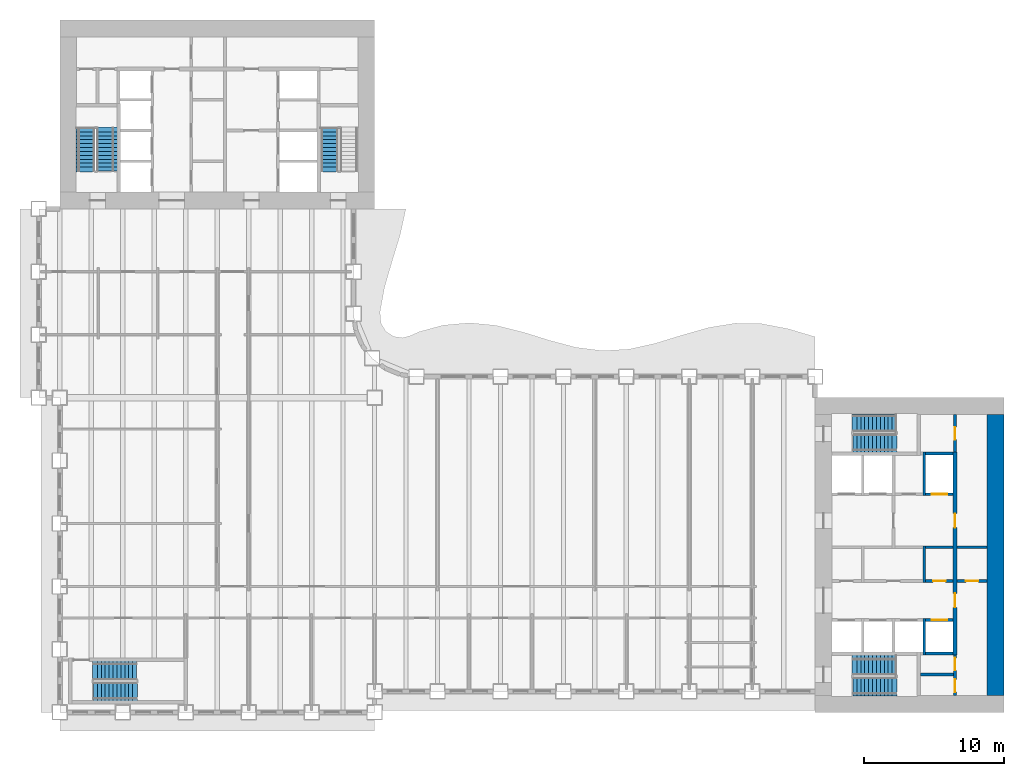
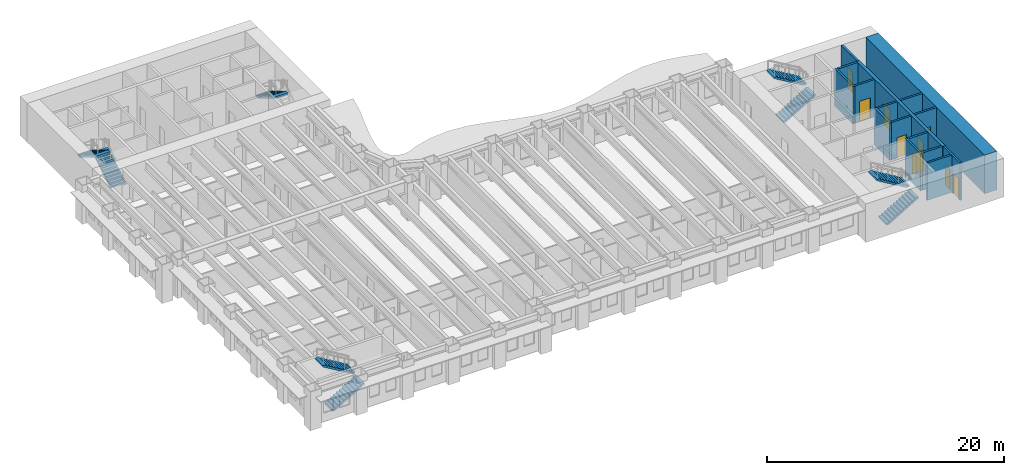
# One storey, part 10 of 17: 16 walls, 9 doors, 9 stair flights, 9 openings, 5 elements without a shape of their own.
"""IFC4 building model written with IfcOpenShell, lengths in metres."""

from ifc_helpers import new_model, si_unit, direction, frame, frame_2d, origin, place, context, subcontext, project, spatial, polyline, rectangle, outline, extrude, material, layer, layer_set, type_object, element, fill, aggregate, save


model = new_model("IFC4")

# Units and contexts
model_context = context("Model", 3, precision=1e-05, world=origin(), true_north=direction((0.0, 1.0)))
body_context = subcontext(model_context, "Body", "Model", "MODEL_VIEW")
ifc_project = project(units=[si_unit("LENGTHUNIT", "METRE"), si_unit("AREAUNIT", "SQUARE_METRE"), si_unit("VOLUMEUNIT", "CUBIC_METRE"), si_unit("PLANEANGLEUNIT", "RADIAN"), si_unit("MASSUNIT", "GRAM", prefix="KILO")], contexts=[model_context])

# Site, building, storey
site_placement = place(None, origin())
site = spatial("IfcSite", under=ifc_project, at=site_placement, CompositionType="ELEMENT")
building_placement = place(site_placement, origin())
building = spatial("IfcBuilding", under=site, at=building_placement, Name="Sennacour Bend Tower", CompositionType="ELEMENT")
storey_placement = place(building_placement, frame((0.0, 0.0, 49.0)))
storey = spatial("IfcBuildingStorey", under=building, at=storey_placement, Name="L10", CompositionType="ELEMENT", Elevation=49.0)

# Walls
ifc_material_1 = material(Name="Concrete C80/95", Category="concrete")
ifc_layer_1 = layer(ifc_material_1, 1.199951171875, Name="Concrete C80/95", Category="concrete")
ifc_layer_set_1 = layer_set([ifc_layer_1], Name="Concrete C80/95")
wall_type_1 = type_object("IfcWallType", Name="Core wall 1200 C80/95", PredefinedType="SHEAR", material=ifc_layer_set_1)
wall_1_placement = place(storey_placement, frame((66.89990234375, 1.199951171875, -0.14990234375), z_axis=(0.0, 0.0, 1.0), x_axis=(0.0, 1.0, 0.0)))
element("IfcWall", 1, at=wall_1_placement, inside=storey, type_object=wall_type_1, Name="Core A wall L10 E", PredefinedType="SHEAR", context=body_context, shape_type="SweptSolid", body=[
    extrude(rectangle(XDim=20.10009765625, YDim=1.199951171875, at=frame_2d((10.050048828125, 0.0))), origin(), (0.0, 0.0, 1.0), 4.0),
])
ifc_material_2 = material(Name="Fire-rated plasterboard partition on steel studs", Category="steel")
ifc_layer_2 = layer(ifc_material_2, 0.199951171875, Name="Fire-rated plasterboard partition on steel studs", Category="steel")
ifc_layer_set_2 = layer_set([ifc_layer_2], Name="Fire-rated plasterboard partition on steel studs")
wall_type_2 = type_object("IfcWallType", Name="Rated partition 200", PredefinedType="PARTITIONING", material=ifc_layer_set_2)
wall_2_placement = place(storey_placement, frame((61.800048828125, 9.300048828125, 0.0), z_axis=(0.0, 0.0, 1.0), x_axis=(0.0, 1.0, 0.0)))
element("IfcWall", 2, at=wall_2_placement, inside=storey, type_object=wall_type_2, Name="P-L10-W045", PredefinedType="PARTITIONING", context=body_context, shape_type="SweptSolid", body=[
    extrude(rectangle(XDim=2.599853515625, YDim=0.199951171875, at=frame_2d((1.2998046875, 0.0))), origin(), (0.0, 0.0, 1.0), 3.85009765625),
])

# Wall, openings, doors
wall_3_placement = place(storey_placement, frame((64.0, 1.199951171875, 0.0), z_axis=(0.0, 0.0, 1.0), x_axis=(0.0, 1.0, 0.0)))
wall_3 = element("IfcWall", 3, at=wall_3_placement, inside=storey, type_object=wall_type_2, Name="P-L10-W047", PredefinedType="PARTITIONING", context=body_context, shape_type="SweptSolid", body=[
    extrude(rectangle(XDim=2.900146484375, YDim=0.199951171875, at=frame_2d((1.4501953125, 0.0))), origin(), (0.0, 0.0, 1.0), 3.85009765625),
])
opening_1_placement = place(wall_3_placement, frame((0.25, 0.0, 0.0)))
opening_1 = element("IfcOpeningElement", 4, at=opening_1_placement, cuts=wall_3, Name="Opening SV", PredefinedType="OPENING", context=body_context, shape_type="SweptSolid", body=[
    extrude(rectangle(XDim=0.89990234375, YDim=2.10009765625, at=frame_2d((0.449951171875, 1.050048828125))), frame((0.0, 0.10986328125, 0.0), z_axis=(0.0, -1.0, 0.0), x_axis=(1.0, 0.0, 0.0)), (0.0, 0.0, 1.0), 0.219970703125),
])
opening_2_placement = place(wall_3_placement, frame((1.800048828125, 0.0, 0.0)))
opening_2 = element("IfcOpeningElement", 5, at=opening_2_placement, cuts=wall_3, Name="Opening SV", PredefinedType="OPENING", context=body_context, shape_type="SweptSolid", body=[
    extrude(rectangle(XDim=0.89990234375, YDim=2.10009765625, at=frame_2d((0.449951171875, 1.050048828125))), frame((0.0, 0.10986328125, 0.0), z_axis=(0.0, -1.0, 0.0), x_axis=(1.0, 0.0, 0.0)), (0.0, 0.0, 1.0), 0.219970703125),
])
ifc_material_3 = material(Name="Painted steel", Category="steel")
door_type_1 = type_object("IfcDoorType", Name="DR-SERVICE-900", OperationType="NOTDEFINED", PredefinedType="DOOR", material=ifc_material_3)
door_1_placement = place(opening_1_placement, origin())
door_1 = element("IfcDoor", 6, at=door_1_placement, inside=storey, type_object=door_type_1, Name="Door", OperationType="SINGLE_SWING_LEFT", OverallHeight=2.10009765625, OverallWidth=0.89990234375, PredefinedType="DOOR", context=body_context, shape_type="SweptSolid", body=[
    extrude(rectangle(XDim=0.89990234375, YDim=2.10009765625, at=frame_2d((0.449951171875, 1.050048828125))), frame((0.0, 0.02490234375, 0.0), z_axis=(0.0, -1.0, 0.0), x_axis=(1.0, 0.0, 0.0)), (0.0, 0.0, 1.0), 0.050048828125),
])
fill(opening_1, door_1)
door_2_placement = place(opening_2_placement, origin())
door_2 = element("IfcDoor", 7, at=door_2_placement, inside=storey, type_object=door_type_1, Name="Door", OperationType="SINGLE_SWING_RIGHT", OverallHeight=2.10009765625, OverallWidth=0.89990234375, PredefinedType="DOOR", context=body_context, shape_type="SweptSolid", body=[
    extrude(rectangle(XDim=0.89990234375, YDim=2.10009765625, at=frame_2d((0.449951171875, 1.050048828125))), frame((0.0, 0.02490234375, 0.0), z_axis=(0.0, -1.0, 0.0), x_axis=(1.0, 0.0, 0.0)), (0.0, 0.0, 1.0), 0.050048828125),
])
fill(opening_2, door_2)

# Wall, opening, door
wall_4_placement = place(storey_placement, frame((64.0, 18.60009765625, 0.0), z_axis=(0.0, 0.0, 1.0), x_axis=(0.0, 1.0, 0.0)))
wall_4 = element("IfcWall", 8, at=wall_4_placement, inside=storey, type_object=wall_type_2, Name="P-L10-W049", PredefinedType="PARTITIONING", context=body_context, shape_type="SweptSolid", body=[
    extrude(rectangle(XDim=2.699951171875, YDim=0.199951171875, at=frame_2d((1.35009765625, 0.0))), origin(), (0.0, 0.0, 1.0), 3.85009765625),
])
opening_3_placement = place(wall_4_placement, frame((0.89990234375, 0.0, 0.0)))
opening_3 = element("IfcOpeningElement", 9, at=opening_3_placement, cuts=wall_4, Name="Opening WD", PredefinedType="OPENING", context=body_context, shape_type="SweptSolid", body=[
    extrude(rectangle(XDim=0.89990234375, YDim=2.10009765625, at=frame_2d((0.449951171875, 1.050048828125))), frame((0.0, 0.10986328125, 0.0), z_axis=(0.0, -1.0, 0.0), x_axis=(1.0, 0.0, 0.0)), (0.0, 0.0, 1.0), 0.219970703125),
])
ifc_material_4 = material(Name="Timber", Category="wood")
door_type_2 = type_object("IfcDoorType", Name="DR-WC-900", OperationType="NOTDEFINED", PredefinedType="DOOR", material=ifc_material_4)
door_3_placement = place(opening_3_placement, origin())
door_3 = element("IfcDoor", 10, at=door_3_placement, inside=storey, type_object=door_type_2, Name="Door", OperationType="SINGLE_SWING_LEFT", OverallHeight=2.10009765625, OverallWidth=0.89990234375, PredefinedType="DOOR", context=body_context, shape_type="SweptSolid", body=[
    extrude(rectangle(XDim=0.89990234375, YDim=2.10009765625, at=frame_2d((0.449951171875, 1.050048828125))), frame((0.0, 0.02490234375, 0.0), z_axis=(0.0, -1.0, 0.0), x_axis=(1.0, 0.0, 0.0)), (0.0, 0.0, 1.0), 0.050048828125),
])
fill(opening_3, door_3)

# Wall
wall_5_placement = place(storey_placement, frame((61.52490234375, 2.699951171875, 0.0), z_axis=(0.0, 0.0, 1.0), x_axis=(1.0, 0.0, 0.0)))
element("IfcWall", 11, at=wall_5_placement, inside=storey, type_object=wall_type_2, Name="P-L10-W053", PredefinedType="PARTITIONING", context=body_context, shape_type="SweptSolid", body=[
    extrude(rectangle(XDim=2.375, YDim=0.199951171875, at=frame_2d((1.1875, 0.0))), origin(), (0.0, 0.0, 1.0), 3.85009765625),
])

# Wall, opening, door
wall_6_placement = place(storey_placement, frame((61.89990234375, 9.39990234375, 0.0), z_axis=(0.0, 0.0, 1.0), x_axis=(1.0, 0.0, 0.0)))
wall_6 = element("IfcWall", 12, at=wall_6_placement, inside=storey, type_object=wall_type_2, Name="P-L10-W063c", PredefinedType="PARTITIONING", context=body_context, shape_type="SweptSolid", body=[
    extrude(rectangle(XDim=1.9501953125, YDim=0.199951171875, at=frame_2d((0.97509765625, 0.0))), origin(), (0.0, 0.0, 1.0), 3.85009765625),
])
opening_4_placement = place(wall_6_placement, frame((0.525146484375, 0.0, 0.0)))
opening_4 = element("IfcOpeningElement", 13, at=opening_4_placement, cuts=wall_6, Name="Opening SV", PredefinedType="OPENING", context=body_context, shape_type="SweptSolid", body=[
    extrude(rectangle(XDim=0.89990234375, YDim=2.10009765625, at=frame_2d((0.449951171875, 1.050048828125))), frame((0.0, 0.10986328125, 0.0), z_axis=(0.0, -1.0, 0.0), x_axis=(1.0, 0.0, 0.0)), (0.0, 0.0, 1.0), 0.219970703125),
])
door_4_placement = place(opening_4_placement, origin())
door_4 = element("IfcDoor", 14, at=door_4_placement, inside=storey, type_object=door_type_1, Name="Door", OperationType="SINGLE_SWING_LEFT", OverallHeight=2.10009765625, OverallWidth=0.89990234375, PredefinedType="DOOR", context=body_context, shape_type="SweptSolid", body=[
    extrude(rectangle(XDim=0.89990234375, YDim=2.10009765625, at=frame_2d((0.449951171875, 1.050048828125))), frame((0.0, 0.02490234375, 0.0), z_axis=(0.0, -1.0, 0.0), x_axis=(1.0, 0.0, 0.0)), (0.0, 0.0, 1.0), 0.050048828125),
])
fill(opening_4, door_4)

wall_7_placement = place(storey_placement, frame((64.14990234375, 9.39990234375, 0.0), z_axis=(0.0, 0.0, 1.0), x_axis=(1.0, 0.0, 0.0)))
wall_7 = element("IfcWall", 15, at=wall_7_placement, inside=storey, type_object=wall_type_2, Name="P-L10-W063d", PredefinedType="PARTITIONING", context=body_context, shape_type="SweptSolid", body=[
    extrude(rectangle(XDim=2.150146484375, YDim=0.199951171875, at=frame_2d((1.0751953125, 0.0))), origin(), (0.0, 0.0, 1.0), 3.85009765625),
])
opening_5_placement = place(wall_7_placement, frame((0.625, 0.0, 0.0)))
opening_5 = element("IfcOpeningElement", 16, at=opening_5_placement, cuts=wall_7, Name="Opening SV", PredefinedType="OPENING", context=body_context, shape_type="SweptSolid", body=[
    extrude(rectangle(XDim=0.89990234375, YDim=2.10009765625, at=frame_2d((0.449951171875, 1.050048828125))), frame((0.0, 0.10986328125, 0.0), z_axis=(0.0, -1.0, 0.0), x_axis=(1.0, 0.0, 0.0)), (0.0, 0.0, 1.0), 0.219970703125),
])
door_5_placement = place(opening_5_placement, origin())
door_5 = element("IfcDoor", 17, at=door_5_placement, inside=storey, type_object=door_type_1, Name="Door", OperationType="SINGLE_SWING_LEFT", OverallHeight=2.10009765625, OverallWidth=0.89990234375, PredefinedType="DOOR", context=body_context, shape_type="SweptSolid", body=[
    extrude(rectangle(XDim=0.89990234375, YDim=2.10009765625, at=frame_2d((0.449951171875, 1.050048828125))), frame((0.0, 0.02490234375, 0.0), z_axis=(0.0, -1.0, 0.0), x_axis=(1.0, 0.0, 0.0)), (0.0, 0.0, 1.0), 0.050048828125),
])
fill(opening_5, door_5)

# Walls
wall_8_placement = place(storey_placement, frame((61.89990234375, 11.800048828125, 0.0), z_axis=(0.0, 0.0, 1.0), x_axis=(1.0, 0.0, 0.0)))
element("IfcWall", 18, at=wall_8_placement, inside=storey, type_object=wall_type_2, Name="P-L10-W064d", PredefinedType="PARTITIONING", context=body_context, shape_type="SweptSolid", body=[
    extrude(rectangle(XDim=1.9501953125, YDim=0.199951171875, at=frame_2d((0.97509765625, 0.0))), origin(), (0.0, 0.0, 1.0), 3.85009765625),
])
wall_9_placement = place(storey_placement, frame((64.14990234375, 11.800048828125, 0.0), z_axis=(0.0, 0.0, 1.0), x_axis=(1.0, 0.0, 0.0)))
element("IfcWall", 19, at=wall_9_placement, inside=storey, type_object=wall_type_2, Name="P-L10-W064e", PredefinedType="PARTITIONING", context=body_context, shape_type="SweptSolid", body=[
    extrude(rectangle(XDim=2.150146484375, YDim=0.199951171875, at=frame_2d((1.0751953125, 0.0))), origin(), (0.0, 0.0, 1.0), 3.85009765625),
])
ifc_material_5 = material(Name="Concrete C50/60", Category="concrete")
ifc_layer_3 = layer(ifc_material_5, 0.199951171875, Name="Concrete C50/60", Category="concrete")
ifc_layer_set_3 = layer_set([ifc_layer_3], Name="Concrete C50/60")
wall_type_3 = type_object("IfcWallType", Name="Shaft wall 200", PredefinedType="SOLIDWALL", material=ifc_layer_set_3)
wall_10_placement = place(storey_placement, frame((61.800048828125, 4.10009765625, 0.0), z_axis=(0.0, 0.0, 1.0), x_axis=(0.0, 1.0, 0.0)))
element("IfcWall", 20, at=wall_10_placement, inside=storey, type_object=wall_type_3, Name="P-L10-W044", PredefinedType="SOLIDWALL", context=body_context, shape_type="SweptSolid", body=[
    extrude(rectangle(XDim=2.599853515625, YDim=0.199951171875, at=frame_2d((1.2998046875, 0.0))), origin(), (0.0, 0.0, 1.0), 3.85009765625),
])
wall_11_placement = place(storey_placement, frame((61.800048828125, 15.5, 0.0), z_axis=(0.0, 0.0, 1.0), x_axis=(0.0, 1.0, 0.0)))
element("IfcWall", 21, at=wall_11_placement, inside=storey, type_object=wall_type_3, Name="P-L10-W046", PredefinedType="SOLIDWALL", context=body_context, shape_type="SweptSolid", body=[
    extrude(rectangle(XDim=3.10009765625, YDim=0.199951171875, at=frame_2d((1.550048828125, 0.0))), origin(), (0.0, 0.0, 1.0), 3.85009765625),
])
wall_12_placement = place(storey_placement, frame((61.89990234375, 4.199951171875, 0.0), z_axis=(0.0, 0.0, 1.0), x_axis=(1.0, 0.0, 0.0)))
element("IfcWall", 22, at=wall_12_placement, inside=storey, type_object=wall_type_3, Name="P-L10-W058b", PredefinedType="SOLIDWALL", context=body_context, shape_type="SweptSolid", body=[
    extrude(rectangle(XDim=1.9501953125, YDim=0.199951171875, at=frame_2d((0.97509765625, 0.0))), origin(), (0.0, 0.0, 1.0), 3.85009765625),
])

# Wall, opening, door
wall_13_placement = place(storey_placement, frame((61.89990234375, 6.60009765625, 0.0), z_axis=(0.0, 0.0, 1.0), x_axis=(1.0, 0.0, 0.0)))
wall_13 = element("IfcWall", 23, at=wall_13_placement, inside=storey, type_object=wall_type_3, Name="P-L10-W060d", PredefinedType="SOLIDWALL", context=body_context, shape_type="SweptSolid", body=[
    extrude(rectangle(XDim=1.9501953125, YDim=0.199951171875, at=frame_2d((0.97509765625, 0.0))), origin(), (0.0, 0.0, 1.0), 3.85009765625),
])
opening_6_placement = place(wall_13_placement, frame((0.425048828125, 0.0, 0.011962890625)))
opening_6 = element("IfcOpeningElement", 24, at=opening_6_placement, cuts=wall_13, Name="Opening LD", PredefinedType="OPENING", context=body_context, shape_type="SweptSolid", body=[
    extrude(rectangle(XDim=1.10009765625, YDim=2.10009765625, at=frame_2d((0.550048828125, 1.050048828125))), frame((0.0, 0.10986328125, 0.0), z_axis=(0.0, -1.0, 0.0), x_axis=(1.0, 0.0, 0.0)), (0.0, 0.0, 1.0), 0.219970703125),
])
ifc_material_6 = material(Name="Stainless steel", Category="steel")
door_type_3 = type_object("IfcDoorType", Name="DR-LANDING-1100", OperationType="NOTDEFINED", PredefinedType="DOOR", material=ifc_material_6)
door_6_placement = place(opening_6_placement, origin())
door_6 = element("IfcDoor", 25, at=door_6_placement, inside=storey, type_object=door_type_3, Name="Lift landing door LA4", OperationType="SLIDING_TO_RIGHT", OverallHeight=2.10009765625, OverallWidth=1.10009765625, PredefinedType="DOOR", context=body_context, shape_type="SweptSolid", body=[
    extrude(rectangle(XDim=1.10009765625, YDim=2.10009765625, at=frame_2d((0.550048828125, 1.050048828125))), frame((0.0, 0.02490234375, 0.0), z_axis=(0.0, -1.0, 0.0), x_axis=(1.0, 0.0, 0.0)), (0.0, 0.0, 1.0), 0.050048828125),
])
fill(opening_6, door_6)

wall_14_placement = place(storey_placement, frame((61.89990234375, 15.60009765625, 0.0), z_axis=(0.0, 0.0, 1.0), x_axis=(1.0, 0.0, 0.0)))
wall_14 = element("IfcWall", 26, at=wall_14_placement, inside=storey, type_object=wall_type_3, Name="P-L10-W068", PredefinedType="SOLIDWALL", context=body_context, shape_type="SweptSolid", body=[
    extrude(rectangle(XDim=1.9501953125, YDim=0.199951171875, at=frame_2d((0.97509765625, 0.0))), origin(), (0.0, 0.0, 1.0), 3.85009765625),
])
opening_7_placement = place(wall_14_placement, frame((0.425048828125, 0.0, 0.011962890625)))
opening_7 = element("IfcOpeningElement", 27, at=opening_7_placement, cuts=wall_14, Name="Opening LD", PredefinedType="OPENING", context=body_context, shape_type="SweptSolid", body=[
    extrude(rectangle(XDim=1.10009765625, YDim=2.10009765625, at=frame_2d((0.550048828125, 1.050048828125))), frame((0.0, 0.10986328125, 0.0), z_axis=(0.0, -1.0, 0.0), x_axis=(1.0, 0.0, 0.0)), (0.0, 0.0, 1.0), 0.219970703125),
])
door_7_placement = place(opening_7_placement, origin())
door_7 = element("IfcDoor", 28, at=door_7_placement, inside=storey, type_object=door_type_3, Name="Lift landing door LA5", OperationType="SLIDING_TO_LEFT", OverallHeight=2.10009765625, OverallWidth=1.10009765625, PredefinedType="DOOR", context=body_context, shape_type="SweptSolid", body=[
    extrude(rectangle(XDim=1.10009765625, YDim=2.10009765625, at=frame_2d((0.550048828125, 1.050048828125))), frame((0.0, 0.02490234375, 0.0), z_axis=(0.0, -1.0, 0.0), x_axis=(1.0, 0.0, 0.0)), (0.0, 0.0, 1.0), 0.050048828125),
])
fill(opening_7, door_7)

# Wall
wall_15_placement = place(storey_placement, frame((61.89990234375, 18.5, 0.0), z_axis=(0.0, 0.0, 1.0), x_axis=(1.0, 0.0, 0.0)))
element("IfcWall", 29, at=wall_15_placement, inside=storey, type_object=wall_type_3, Name="P-L10-W071", PredefinedType="SOLIDWALL", context=body_context, shape_type="SweptSolid", body=[
    extrude(rectangle(XDim=1.9501953125, YDim=0.199951171875, at=frame_2d((0.97509765625, 0.0))), origin(), (0.0, 0.0, 1.0), 3.85009765625),
])

# Wall, openings, doors
ifc_material_7 = material(Name="Concrete C60/75", Category="concrete")
ifc_layer_4 = layer(ifc_material_7, 0.300048828125, Name="Concrete C60/75", Category="concrete")
ifc_layer_set_4 = layer_set([ifc_layer_4], Name="Concrete C60/75")
wall_type_4 = type_object("IfcWallType", Name="Spine wall 300", PredefinedType="SHEAR", material=ifc_layer_set_4)
wall_16_placement = place(storey_placement, frame((64.0, 4.10009765625, 0.0), z_axis=(0.0, 0.0, 1.0), x_axis=(0.0, 1.0, 0.0)))
wall_16 = element("IfcWall", 30, at=wall_16_placement, inside=storey, type_object=wall_type_4, Name="P-L10-W048", PredefinedType="SHEAR", context=body_context, shape_type="SweptSolid", body=[
    extrude(rectangle(XDim=14.5, YDim=0.300048828125, at=frame_2d((7.25, 0.0))), origin(), (0.0, 0.0, 1.0), 3.85009765625),
])
opening_8_placement = place(wall_16_placement, frame((3.39990234375, 0.0, 0.0)))
opening_8 = element("IfcOpeningElement", 31, at=opening_8_placement, cuts=wall_16, Name="Opening CD2", PredefinedType="OPENING", context=body_context, shape_type="SweptSolid", body=[
    extrude(rectangle(XDim=1.0, YDim=2.10009765625, at=frame_2d((0.5, 1.050048828125))), frame((0.0, 0.16015625, 0.0), z_axis=(0.0, -1.0, 0.0), x_axis=(1.0, 0.0, 0.0)), (0.0, 0.0, 1.0), 0.320068359375),
])
opening_9_placement = place(wall_16_placement, frame((9.099853515625, 0.0, 0.0)))
opening_9 = element("IfcOpeningElement", 32, at=opening_9_placement, cuts=wall_16, Name="Opening CD2", PredefinedType="OPENING", context=body_context, shape_type="SweptSolid", body=[
    extrude(rectangle(XDim=1.0, YDim=2.10009765625, at=frame_2d((0.5, 1.050048828125))), frame((0.0, 0.16015625, 0.0), z_axis=(0.0, -1.0, 0.0), x_axis=(1.0, 0.0, 0.0)), (0.0, 0.0, 1.0), 0.320068359375),
])
door_type_4 = type_object("IfcDoorType", Name="DR-LOBBY-1000", OperationType="NOTDEFINED", PredefinedType="DOOR", material=ifc_material_3)
door_8_placement = place(opening_8_placement, origin())
door_8 = element("IfcDoor", 33, at=door_8_placement, inside=storey, type_object=door_type_4, Name="Door", OperationType="SINGLE_SWING_LEFT", OverallHeight=2.10009765625, OverallWidth=1.0, PredefinedType="DOOR", context=body_context, shape_type="SweptSolid", body=[
    extrude(rectangle(XDim=1.0, YDim=2.10009765625, at=frame_2d((0.5, 1.050048828125))), frame((0.0, 0.02490234375, 0.0), z_axis=(0.0, -1.0, 0.0), x_axis=(1.0, 0.0, 0.0)), (0.0, 0.0, 1.0), 0.050048828125),
])
fill(opening_8, door_8)
door_9_placement = place(opening_9_placement, origin())
door_9 = element("IfcDoor", 34, at=door_9_placement, inside=storey, type_object=door_type_4, Name="Door", OperationType="SINGLE_SWING_RIGHT", OverallHeight=2.10009765625, OverallWidth=1.0, PredefinedType="DOOR", context=body_context, shape_type="SweptSolid", body=[
    extrude(rectangle(XDim=1.0, YDim=2.10009765625, at=frame_2d((0.5, 1.050048828125))), frame((0.0, 0.02490234375, 0.0), z_axis=(0.0, -1.0, 0.0), x_axis=(1.0, 0.0, 0.0)), (0.0, 0.0, 1.0), 0.050048828125),
])
fill(opening_9, door_9)

# Stair, stair flights
ifc_material_8 = material(Name="Concrete C40/50", Category="concrete")
stair_type = type_object("IfcStairType", Name="ST-DOGLEG", PredefinedType="HALF_TURN_STAIR", material=ifc_material_8)
stair_1_placement = place(storey_placement, origin())
stair_1 = element("IfcStair", 35, at=stair_1_placement, inside=storey, type_object=stair_type, Name="L10 Exit stair A1", PredefinedType="HALF_TURN_STAIR")
stair_flight_type = type_object("IfcStairFlightType", Name="SFL-RC", PredefinedType="STRAIGHT", material=ifc_material_8)
stair_flight_1_placement = place(storey_placement, frame((56.699951171875, 1.8349609375, 0.0), z_axis=(0.0, 0.0, 1.0), x_axis=(1.0, 0.0, 0.0)))
stair_flight_1 = element("IfcStairFlight", 36, at=stair_flight_1_placement, type_object=stair_flight_type, Name="SA1 flight 1", NumberOfRisers=12, NumberOfTreads=11, PredefinedType="STRAIGHT", RiserHeight=0.166666667, TreadLength=0.28, context=body_context, shape_type="SweptSolid", body=[
    extrude(outline(polyline([(0.0, 0.0), (0.0, 0.166748046875), (0.280029296875, 0.166748046875), (0.280029296875, 0.333251953125), (0.56005859375, 0.333251953125), (0.56005859375, 0.5), (0.840087890625, 0.5), (0.840087890625, 0.666748046875), (1.1201171875, 0.666748046875), (1.1201171875, 0.833251953125), (1.39990234375, 0.833251953125), (1.39990234375, 1.0), (1.679931640625, 1.0), (1.679931640625, 1.166748046875), (1.9599609375, 1.166748046875), (1.9599609375, 1.333251953125), (2.239990234375, 1.333251953125), (2.239990234375, 1.5), (2.52001953125, 1.5), (2.52001953125, 1.666748046875), (2.800048828125, 1.666748046875), (2.800048828125, 1.833251953125), (3.080078125, 1.833251953125), (3.139892578125, 1.833251953125), (3.139892578125, 1.658935546875), (3.080078125, 1.658935546875), (0.29296875, 0.0), (0.0, 0.0)])), frame((0.0, 0.6650390625, 0.0), z_axis=(0.0, -1.0, 0.0), x_axis=(1.0, 0.0, 0.0)), (0.0, 0.0, 1.0), 1.330078125),
])
stair_flight_2_placement = place(storey_placement, frame((59.780029296875, 3.37744140625, 2.0), z_axis=(0.0, 0.0, 1.0), x_axis=(-1.0, 0.0, 0.0)))
stair_flight_2 = element("IfcStairFlight", 37, at=stair_flight_2_placement, type_object=stair_flight_type, Name="SA1 flight 2", NumberOfRisers=12, NumberOfTreads=11, PredefinedType="STRAIGHT", RiserHeight=0.166666667, TreadLength=0.28, context=body_context, shape_type="SweptSolid", body=[
    extrude(outline(polyline([(0.0, 0.0), (0.0, 0.166748046875), (0.280029296875, 0.166748046875), (0.280029296875, 0.333251953125), (0.56005859375, 0.333251953125), (0.56005859375, 0.5), (0.840087890625, 0.5), (0.840087890625, 0.666748046875), (1.1201171875, 0.666748046875), (1.1201171875, 0.833251953125), (1.39990234375, 0.833251953125), (1.39990234375, 1.0), (1.679931640625, 1.0), (1.679931640625, 1.166748046875), (1.9599609375, 1.166748046875), (1.9599609375, 1.333251953125), (2.239990234375, 1.333251953125), (2.239990234375, 1.5), (2.52001953125, 1.5), (2.52001953125, 1.666748046875), (2.800048828125, 1.666748046875), (2.800048828125, 1.833251953125), (3.080078125, 1.833251953125), (3.139892578125, 1.833251953125), (3.139892578125, 1.658935546875), (3.080078125, 1.658935546875), (0.29296875, 0.0), (0.0, 0.0)])), frame((0.0, 0.7275390625, 0.0), z_axis=(0.0, -1.0, 0.0), x_axis=(1.0, 0.0, 0.0)), (0.0, 0.0, 1.0), 1.455078125),
])
aggregate(stair_1, [stair_flight_1, stair_flight_2])

stair_2_placement = place(storey_placement, origin())
stair_2 = element("IfcStair", 38, at=stair_2_placement, inside=storey, type_object=stair_type, Name="L10 Exit stair A2", PredefinedType="HALF_TURN_STAIR")
stair_flight_3_placement = place(storey_placement, frame((56.699951171875, 19.24755859375, 0.0), z_axis=(0.0, 0.0, 1.0), x_axis=(1.0, 0.0, 0.0)))
stair_flight_3 = element("IfcStairFlight", 39, at=stair_flight_3_placement, type_object=stair_flight_type, Name="SA2 flight 1", NumberOfRisers=12, NumberOfTreads=11, PredefinedType="STRAIGHT", RiserHeight=0.166666667, TreadLength=0.28, context=body_context, shape_type="SweptSolid", body=[
    extrude(outline(polyline([(0.0, 0.0), (0.0, 0.166748046875), (0.280029296875, 0.166748046875), (0.280029296875, 0.333251953125), (0.56005859375, 0.333251953125), (0.56005859375, 0.5), (0.840087890625, 0.5), (0.840087890625, 0.666748046875), (1.1201171875, 0.666748046875), (1.1201171875, 0.833251953125), (1.39990234375, 0.833251953125), (1.39990234375, 1.0), (1.679931640625, 1.0), (1.679931640625, 1.166748046875), (1.9599609375, 1.166748046875), (1.9599609375, 1.333251953125), (2.239990234375, 1.333251953125), (2.239990234375, 1.5), (2.52001953125, 1.5), (2.52001953125, 1.666748046875), (2.800048828125, 1.666748046875), (2.800048828125, 1.833251953125), (3.080078125, 1.833251953125), (3.139892578125, 1.833251953125), (3.139892578125, 1.658935546875), (3.080078125, 1.658935546875), (0.29296875, 0.0), (0.0, 0.0)])), frame((0.0, 0.65234375, 0.0), z_axis=(0.0, -1.0, 0.0), x_axis=(1.0, 0.0, 0.0)), (0.0, 0.0, 1.0), 1.304931640625),
])
stair_flight_4_placement = place(storey_placement, frame((59.780029296875, 20.68994140625, 2.0), z_axis=(0.0, 0.0, 1.0), x_axis=(-1.0, 0.0, 0.0)))
stair_flight_4 = element("IfcStairFlight", 40, at=stair_flight_4_placement, type_object=stair_flight_type, Name="SA2 flight 2", NumberOfRisers=12, NumberOfTreads=11, PredefinedType="STRAIGHT", RiserHeight=0.166666667, TreadLength=0.28, context=body_context, shape_type="SweptSolid", body=[
    extrude(outline(polyline([(0.0, 0.0), (0.0, 0.166748046875), (0.280029296875, 0.166748046875), (0.280029296875, 0.333251953125), (0.56005859375, 0.333251953125), (0.56005859375, 0.5), (0.840087890625, 0.5), (0.840087890625, 0.666748046875), (1.1201171875, 0.666748046875), (1.1201171875, 0.833251953125), (1.39990234375, 0.833251953125), (1.39990234375, 1.0), (1.679931640625, 1.0), (1.679931640625, 1.166748046875), (1.9599609375, 1.166748046875), (1.9599609375, 1.333251953125), (2.239990234375, 1.333251953125), (2.239990234375, 1.5), (2.52001953125, 1.5), (2.52001953125, 1.666748046875), (2.800048828125, 1.666748046875), (2.800048828125, 1.833251953125), (3.080078125, 1.833251953125), (3.139892578125, 1.833251953125), (3.139892578125, 1.658935546875), (3.080078125, 1.658935546875), (0.29296875, 0.0), (0.0, 0.0)])), frame((0.0, 0.64013671875, 0.0), z_axis=(0.0, -1.0, 0.0), x_axis=(1.0, 0.0, 0.0)), (0.0, 0.0, 1.0), 1.280029296875),
])
aggregate(stair_2, [stair_flight_3, stair_flight_4])

stair_3_placement = place(storey_placement, origin())
stair_3 = element("IfcStair", 41, at=stair_3_placement, inside=storey, type_object=stair_type, Name="L10 Exit stair B1", PredefinedType="HALF_TURN_STAIR")
stair_flight_5_placement = place(storey_placement, frame((3.37744140625, 38.699951171875, 0.0), z_axis=(0.0, 0.0, 1.0), x_axis=(0.0, 1.0, 0.0)))
stair_flight_5 = element("IfcStairFlight", 42, at=stair_flight_5_placement, type_object=stair_flight_type, Name="SB1 flight 1", NumberOfRisers=12, NumberOfTreads=11, PredefinedType="STRAIGHT", RiserHeight=0.166666667, TreadLength=0.28, context=body_context, shape_type="SweptSolid", body=[
    extrude(outline(polyline([(0.0, 0.0), (0.0, 0.166748046875), (0.280029296875, 0.166748046875), (0.280029296875, 0.333251953125), (0.56005859375, 0.333251953125), (0.56005859375, 0.5), (0.840087890625, 0.5), (0.840087890625, 0.666748046875), (1.1201171875, 0.666748046875), (1.1201171875, 0.833251953125), (1.39990234375, 0.833251953125), (1.39990234375, 1.0), (1.679931640625, 1.0), (1.679931640625, 1.166748046875), (1.9599609375, 1.166748046875), (1.9599609375, 1.333251953125), (2.239990234375, 1.333251953125), (2.239990234375, 1.5), (2.52001953125, 1.5), (2.52001953125, 1.666748046875), (2.800048828125, 1.666748046875), (2.800048828125, 1.833251953125), (3.080078125, 1.833251953125), (3.139892578125, 1.833251953125), (3.139892578125, 1.658935546875), (3.080078125, 1.658935546875), (0.29296875, 0.0), (0.0, 0.0)])), frame((0.0, 0.7275390625, 0.0), z_axis=(0.0, -1.0, 0.0), x_axis=(1.0, 0.0, 0.0)), (0.0, 0.0, 1.0), 1.455078125),
])
stair_flight_6_placement = place(storey_placement, frame((1.8349609375, 41.780029296875, 2.0), z_axis=(0.0, 0.0, 1.0), x_axis=(0.0, -1.0, 0.0)))
stair_flight_6 = element("IfcStairFlight", 43, at=stair_flight_6_placement, type_object=stair_flight_type, Name="SB1 flight 2", NumberOfRisers=12, NumberOfTreads=11, PredefinedType="STRAIGHT", RiserHeight=0.166666667, TreadLength=0.28, context=body_context, shape_type="SweptSolid", body=[
    extrude(outline(polyline([(0.0, 0.0), (0.0, 0.166748046875), (0.280029296875, 0.166748046875), (0.280029296875, 0.333251953125), (0.56005859375, 0.333251953125), (0.56005859375, 0.5), (0.840087890625, 0.5), (0.840087890625, 0.666748046875), (1.1201171875, 0.666748046875), (1.1201171875, 0.833251953125), (1.39990234375, 0.833251953125), (1.39990234375, 1.0), (1.679931640625, 1.0), (1.679931640625, 1.166748046875), (1.9599609375, 1.166748046875), (1.9599609375, 1.333251953125), (2.239990234375, 1.333251953125), (2.239990234375, 1.5), (2.52001953125, 1.5), (2.52001953125, 1.666748046875), (2.800048828125, 1.666748046875), (2.800048828125, 1.833251953125), (3.080078125, 1.833251953125), (3.139892578125, 1.833251953125), (3.139892578125, 1.658935546875), (3.080078125, 1.658935546875), (0.29296875, 0.0), (0.0, 0.0)])), frame((0.0, 0.6650390625, 0.0), z_axis=(0.0, -1.0, 0.0), x_axis=(1.0, 0.0, 0.0)), (0.0, 0.0, 1.0), 1.330078125),
])
aggregate(stair_3, [stair_flight_5, stair_flight_6])

# Stair, stair flight
stair_4_placement = place(storey_placement, origin())
stair_4 = element("IfcStair", 44, at=stair_4_placement, inside=storey, type_object=stair_type, Name="L10 Exit stair B2", PredefinedType="HALF_TURN_STAIR")
stair_flight_7_placement = place(storey_placement, frame((19.24755859375, 41.780029296875, 2.0), z_axis=(0.0, 0.0, 1.0), x_axis=(0.0, -1.0, 0.0)))
stair_flight_7 = element("IfcStairFlight", 45, at=stair_flight_7_placement, type_object=stair_flight_type, Name="SB2 flight 2", NumberOfRisers=12, NumberOfTreads=11, PredefinedType="STRAIGHT", RiserHeight=0.166666667, TreadLength=0.28, context=body_context, shape_type="SweptSolid", body=[
    extrude(outline(polyline([(0.0, 0.0), (0.0, 0.166748046875), (0.280029296875, 0.166748046875), (0.280029296875, 0.333251953125), (0.56005859375, 0.333251953125), (0.56005859375, 0.5), (0.840087890625, 0.5), (0.840087890625, 0.666748046875), (1.1201171875, 0.666748046875), (1.1201171875, 0.833251953125), (1.39990234375, 0.833251953125), (1.39990234375, 1.0), (1.679931640625, 1.0), (1.679931640625, 1.166748046875), (1.9599609375, 1.166748046875), (1.9599609375, 1.333251953125), (2.239990234375, 1.333251953125), (2.239990234375, 1.5), (2.52001953125, 1.5), (2.52001953125, 1.666748046875), (2.800048828125, 1.666748046875), (2.800048828125, 1.833251953125), (3.080078125, 1.833251953125), (3.139892578125, 1.833251953125), (3.139892578125, 1.658935546875), (3.080078125, 1.658935546875), (0.29296875, 0.0), (0.0, 0.0)])), frame((0.0, 0.65234375, 0.0), z_axis=(0.0, -1.0, 0.0), x_axis=(1.0, 0.0, 0.0)), (0.0, 0.0, 1.0), 1.304931640625),
])
aggregate(stair_4, [stair_flight_7])

# Stair, stair flights
stair_5_placement = place(storey_placement, origin())
stair_5 = element("IfcStair", 46, at=stair_5_placement, inside=storey, type_object=stair_type, Name="L10 Exit stair K1", PredefinedType="HALF_TURN_STAIR")
stair_flight_8_placement = place(storey_placement, frame((2.39990234375, 1.485107421875, 0.0), z_axis=(0.0, 0.0, 1.0), x_axis=(1.0, 0.0, 0.0)))
stair_flight_8 = element("IfcStairFlight", 47, at=stair_flight_8_placement, type_object=stair_flight_type, Name="SK1 flight 1", NumberOfRisers=12, NumberOfTreads=11, PredefinedType="STRAIGHT", RiserHeight=0.166666667, TreadLength=0.28, context=body_context, shape_type="SweptSolid", body=[
    extrude(outline(polyline([(0.0, 0.0), (0.0, 0.166748046875), (0.280029296875, 0.166748046875), (0.280029296875, 0.333251953125), (0.56005859375, 0.333251953125), (0.56005859375, 0.5), (0.840087890625, 0.5), (0.840087890625, 0.666748046875), (1.1201171875, 0.666748046875), (1.1201171875, 0.833251953125), (1.39990234375, 0.833251953125), (1.39990234375, 1.0), (1.679931640625, 1.0), (1.679931640625, 1.166748046875), (1.9599609375, 1.166748046875), (1.9599609375, 1.333251953125), (2.239990234375, 1.333251953125), (2.239990234375, 1.5), (2.52001953125, 1.5), (2.52001953125, 1.666748046875), (2.800048828125, 1.666748046875), (2.800048828125, 1.833251953125), (3.080078125, 1.833251953125), (3.139892578125, 1.833251953125), (3.139892578125, 1.658935546875), (3.080078125, 1.658935546875), (0.29296875, 0.0), (0.0, 0.0)])), frame((0.0, 0.6650390625, 0.0), z_axis=(0.0, -1.0, 0.0), x_axis=(1.0, 0.0, 0.0)), (0.0, 0.0, 1.0), 1.330078125),
])
stair_flight_9_placement = place(storey_placement, frame((5.47998046875, 2.9775390625, 2.0), z_axis=(0.0, 0.0, 1.0), x_axis=(-1.0, 0.0, 0.0)))
stair_flight_9 = element("IfcStairFlight", 48, at=stair_flight_9_placement, type_object=stair_flight_type, Name="SK1 flight 2", NumberOfRisers=12, NumberOfTreads=11, PredefinedType="STRAIGHT", RiserHeight=0.166666667, TreadLength=0.28, context=body_context, shape_type="SweptSolid", body=[
    extrude(outline(polyline([(0.0, 0.0), (0.0, 0.166748046875), (0.280029296875, 0.166748046875), (0.280029296875, 0.333251953125), (0.56005859375, 0.333251953125), (0.56005859375, 0.5), (0.840087890625, 0.5), (0.840087890625, 0.666748046875), (1.1201171875, 0.666748046875), (1.1201171875, 0.833251953125), (1.39990234375, 0.833251953125), (1.39990234375, 1.0), (1.679931640625, 1.0), (1.679931640625, 1.166748046875), (1.9599609375, 1.166748046875), (1.9599609375, 1.333251953125), (2.239990234375, 1.333251953125), (2.239990234375, 1.5), (2.52001953125, 1.5), (2.52001953125, 1.666748046875), (2.800048828125, 1.666748046875), (2.800048828125, 1.833251953125), (3.080078125, 1.833251953125), (3.139892578125, 1.833251953125), (3.139892578125, 1.658935546875), (3.080078125, 1.658935546875), (0.29296875, 0.0), (0.0, 0.0)])), frame((0.0, 0.677490234375, 0.0), z_axis=(0.0, -1.0, 0.0), x_axis=(1.0, 0.0, 0.0)), (0.0, 0.0, 1.0), 1.35498046875),
])
aggregate(stair_5, [stair_flight_8, stair_flight_9])

save(model, "model.ifc")
